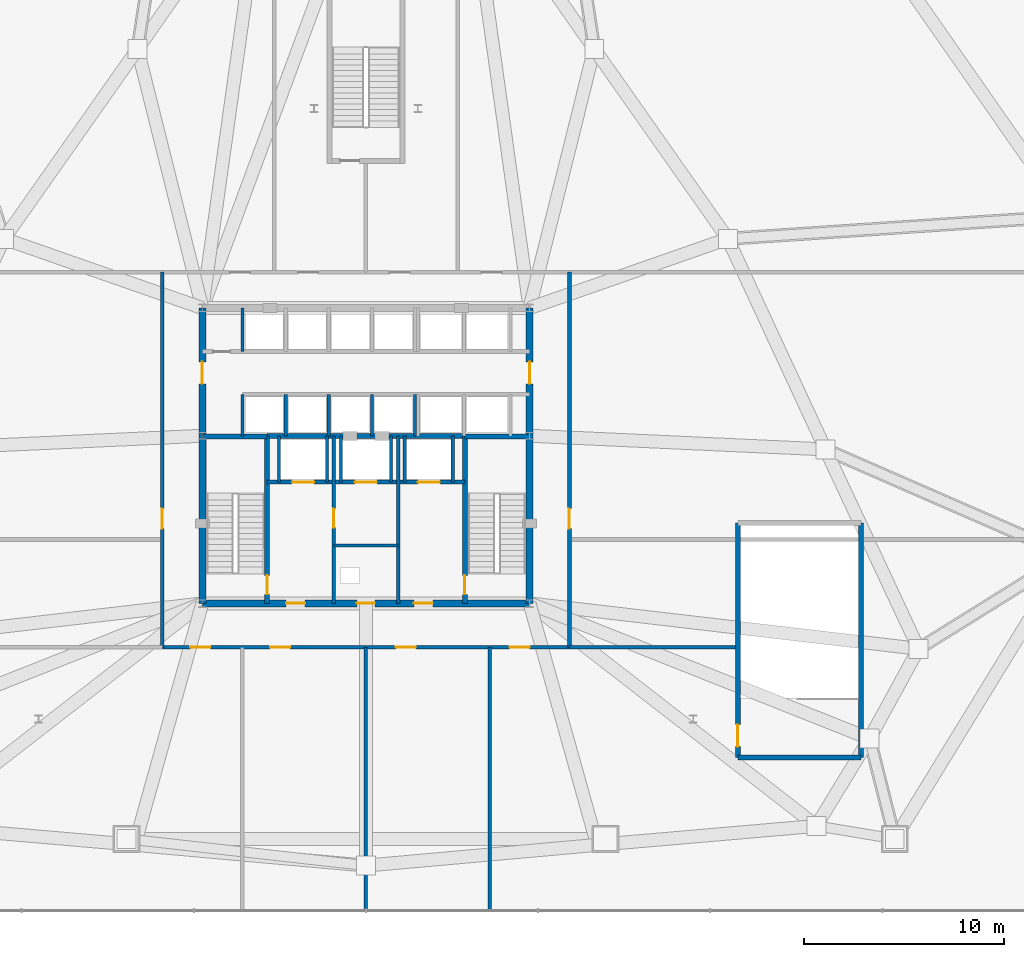
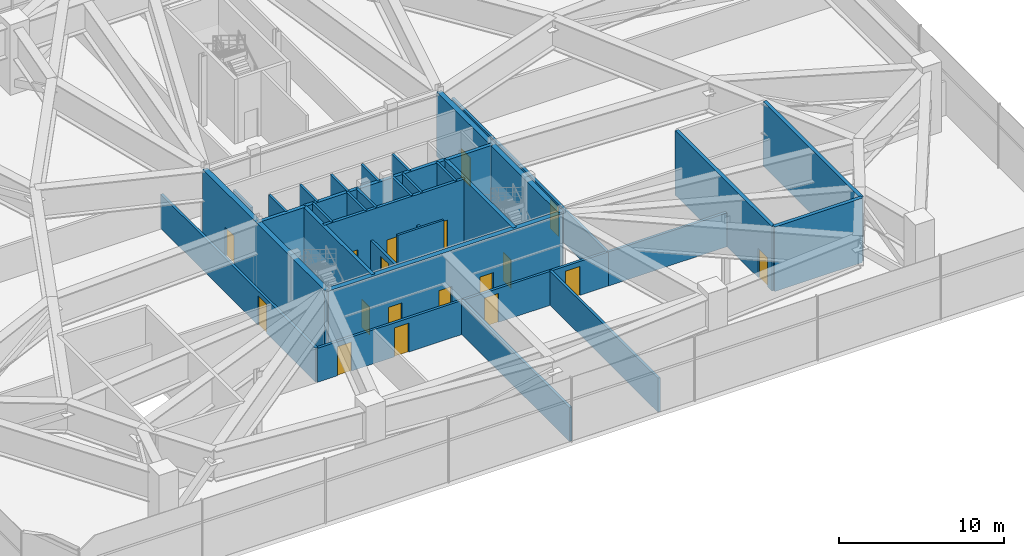
# One storey, part 22 of 29: 33 walls, 18 doors, 18 openings.
"""IFC4 building model written with IfcOpenShell, lengths in metres."""

from ifc_helpers import new_model, si_unit, direction, frame, frame_2d, origin, place, context, subcontext, project, spatial, rectangle, extrude, material, layer, layer_set, type_object, element, fill, save


model = new_model("IFC4")

# Units and contexts
model_context = context("Model", 3, precision=1e-05, world=origin(), true_north=direction((0.0, 1.0)))
body_context = subcontext(model_context, "Body", "Model", "MODEL_VIEW")
ifc_project = project(units=[si_unit("LENGTHUNIT", "METRE"), si_unit("AREAUNIT", "SQUARE_METRE"), si_unit("VOLUMEUNIT", "CUBIC_METRE"), si_unit("PLANEANGLEUNIT", "RADIAN"), si_unit("MASSUNIT", "GRAM", prefix="KILO")], contexts=[model_context])

# Site, building, storey
site_placement = place(None, origin())
site = spatial("IfcSite", under=ifc_project, at=site_placement, CompositionType="ELEMENT")
building_placement = place(site_placement, origin())
building = spatial("IfcBuilding", under=site, at=building_placement, Name="Varakhsha Concourse Tower", CompositionType="ELEMENT")
storey_placement = place(building_placement, frame((0.0, 0.0, 22.0)))
storey = spatial("IfcBuildingStorey", under=building, at=storey_placement, Name="L05", CompositionType="ELEMENT", Elevation=22.0)

# Wall, openings, doors
ifc_material_1 = material(Name="Concrete fc 65 MPa", Category="concrete")
ifc_layer_1 = layer(ifc_material_1, 0.35009765625, Name="WL-CORE-350")
ifc_layer_set_1 = layer_set([ifc_layer_1], Name="Concrete fc 65 MPa")
wall_type_1 = type_object("IfcWallType", Name="WL-CORE-350", PredefinedType="SHEAR", material=ifc_layer_set_1)
wall_1_placement = place(storey_placement, frame((31.800048828125, 16.39990234375, 0.0), z_axis=(0.0, 0.0, 1.0), x_axis=(1.0, 0.0, 0.0)))
wall_1 = element("IfcWall", 1, at=wall_1_placement, inside=storey, type_object=wall_type_1, Name="L05 Wall CWALL-S-L05", PredefinedType="SHEAR", context=body_context, shape_type="SweptSolid", body=[
    extrude(rectangle(XDim=16.39990234375, YDim=0.35009765625, at=frame_2d((8.199951171875, 0.0))), origin(), (0.0, 0.0, 1.0), 4.780029296875),
])
opening_1_placement = place(wall_1_placement, frame((7.75, 0.0, 0.0)))
opening_1 = element("IfcOpeningElement", 2, at=opening_1_placement, cuts=wall_1, Name="Opening DF-06", PredefinedType="OPENING", context=body_context, shape_type="SweptSolid", body=[
    extrude(rectangle(XDim=0.89990234375, YDim=2.10009765625, at=frame_2d((0.449951171875, 1.050048828125))), frame((0.0, 0.18505859375, 0.0), z_axis=(0.0, -1.0, 0.0), x_axis=(1.0, 0.0, 0.0)), (0.0, 0.0, 1.0), 0.3701171875),
])
opening_2_placement = place(wall_1_placement, frame((4.199951171875, 0.0, 0.0)))
opening_2 = element("IfcOpeningElement", 3, at=opening_2_placement, cuts=wall_1, Name="Opening DF-05", PredefinedType="OPENING", context=body_context, shape_type="SweptSolid", body=[
    extrude(rectangle(XDim=0.949951171875, YDim=2.10009765625, at=frame_2d((0.47509765625, 1.050048828125))), frame((0.0, 0.18505859375, 0.0), z_axis=(0.0, -1.0, 0.0), x_axis=(1.0, 0.0, 0.0)), (0.0, 0.0, 1.0), 0.3701171875),
])
opening_3_placement = place(wall_1_placement, frame((10.60009765625, 0.0, 0.0)))
opening_3 = element("IfcOpeningElement", 4, at=opening_3_placement, cuts=wall_1, Name="Opening DF-05", PredefinedType="OPENING", context=body_context, shape_type="SweptSolid", body=[
    extrude(rectangle(XDim=0.949951171875, YDim=2.10009765625, at=frame_2d((0.47509765625, 1.050048828125))), frame((0.0, 0.18505859375, 0.0), z_axis=(0.0, -1.0, 0.0), x_axis=(1.0, 0.0, 0.0)), (0.0, 0.0, 1.0), 0.3701171875),
])
ifc_material_2 = material(Name="Hollow Galvanised Steel Fire Door Assembly", Category="steel")
door_type_1 = type_object("IfcDoorType", Name="DR-FD60-900", OperationType="NOTDEFINED", PredefinedType="DOOR", material=ifc_material_2)
door_1_placement = place(opening_1_placement, origin())
door_1 = element("IfcDoor", 5, at=door_1_placement, inside=storey, type_object=door_type_1, Name="L05 Electrical Riser Access Door", OperationType="SINGLE_SWING_LEFT", OverallHeight=2.10009765625, OverallWidth=0.89990234375, PredefinedType="DOOR", context=body_context, shape_type="SweptSolid", body=[
    extrude(rectangle(XDim=0.89990234375, YDim=2.10009765625, at=frame_2d((0.449951171875, 1.050048828125))), frame((0.0, 0.02490234375, 0.0), z_axis=(0.0, -1.0, 0.0), x_axis=(1.0, 0.0, 0.0)), (0.0, 0.0, 1.0), 0.050048828125),
])
fill(opening_1, door_1)
door_type_2 = type_object("IfcDoorType", Name="DR-FD60-950", OperationType="NOTDEFINED", PredefinedType="DOOR", material=ifc_material_2)
door_2_placement = place(opening_2_placement, origin())
door_2 = element("IfcDoor", 6, at=door_2_placement, inside=storey, type_object=door_type_2, Name="L05 Firefighting Lobby West Door", OperationType="SINGLE_SWING_RIGHT", OverallHeight=2.10009765625, OverallWidth=0.949951171875, PredefinedType="DOOR", context=body_context, shape_type="SweptSolid", body=[
    extrude(rectangle(XDim=0.949951171875, YDim=2.10009765625, at=frame_2d((0.47509765625, 1.050048828125))), frame((0.0, 0.02490234375, 0.0), z_axis=(0.0, -1.0, 0.0), x_axis=(1.0, 0.0, 0.0)), (0.0, 0.0, 1.0), 0.050048828125),
])
fill(opening_2, door_2)
door_3_placement = place(opening_3_placement, origin())
door_3 = element("IfcDoor", 7, at=door_3_placement, inside=storey, type_object=door_type_2, Name="L05 Firefighting Lobby East Door", OperationType="SINGLE_SWING_LEFT", OverallHeight=2.10009765625, OverallWidth=0.949951171875, PredefinedType="DOOR", context=body_context, shape_type="SweptSolid", body=[
    extrude(rectangle(XDim=0.949951171875, YDim=2.10009765625, at=frame_2d((0.47509765625, 1.050048828125))), frame((0.0, 0.02490234375, 0.0), z_axis=(0.0, -1.0, 0.0), x_axis=(1.0, 0.0, 0.0)), (0.0, 0.0, 1.0), 0.050048828125),
])
fill(opening_3, door_3)

# Wall, opening, door
wall_2_placement = place(storey_placement, frame((31.800048828125, 16.39990234375, 0.0), z_axis=(0.0, 0.0, 1.0), x_axis=(0.0, 1.0, 0.0)))
wall_2 = element("IfcWall", 8, at=wall_2_placement, inside=storey, type_object=wall_type_1, Name="L05 Wall CWALL-W-L05", PredefinedType="SHEAR", context=body_context, shape_type="SweptSolid", body=[
    extrude(rectangle(XDim=14.800048828125, YDim=0.35009765625, at=frame_2d((7.39990234375, 0.0))), origin(), (0.0, 0.0, 1.0), 4.780029296875),
])
opening_4_placement = place(wall_2_placement, frame((11.0, 0.0, 0.0)))
opening_4 = element("IfcOpeningElement", 9, at=opening_4_placement, cuts=wall_2, Name="Opening DL-01", PredefinedType="OPENING", context=body_context, shape_type="SweptSolid", body=[
    extrude(rectangle(XDim=1.10009765625, YDim=2.14990234375, at=frame_2d((0.550048828125, 1.074951171875))), frame((0.0, 0.18505859375, 0.0), z_axis=(0.0, -1.0, 0.0), x_axis=(1.0, 0.0, 0.0)), (0.0, 0.0, 1.0), 0.3701171875),
])
ifc_material_3 = material(Name="Anodised Bronze Architectural Aluminium AA 6063-T6", Category="aluminium")
door_type_3 = type_object("IfcDoorType", Name="DR-LOB-1100", OperationType="NOTDEFINED", PredefinedType="DOOR", material=ifc_material_3)
door_4_placement = place(opening_4_placement, origin())
door_4 = element("IfcDoor", 10, at=door_4_placement, inside=storey, type_object=door_type_3, Name="L05 Lift Lobby West Concourse Door", OperationType="SINGLE_SWING_LEFT", OverallHeight=2.14990234375, OverallWidth=1.10009765625, PredefinedType="DOOR", context=body_context, shape_type="SweptSolid", body=[
    extrude(rectangle(XDim=1.10009765625, YDim=2.14990234375, at=frame_2d((0.550048828125, 1.074951171875))), frame((0.0, 0.02490234375, 0.0), z_axis=(0.0, -1.0, 0.0), x_axis=(1.0, 0.0, 0.0)), (0.0, 0.0, 1.0), 0.050048828125),
])
fill(opening_4, door_4)

wall_3_placement = place(storey_placement, frame((48.199951171875, 16.39990234375, 0.0), z_axis=(0.0, 0.0, 1.0), x_axis=(0.0, 1.0, 0.0)))
wall_3 = element("IfcWall", 11, at=wall_3_placement, inside=storey, type_object=wall_type_1, Name="L05 Wall CWALL-E-L05", PredefinedType="SHEAR", context=body_context, shape_type="SweptSolid", body=[
    extrude(rectangle(XDim=14.800048828125, YDim=0.35009765625, at=frame_2d((7.39990234375, 0.0))), origin(), (0.0, 0.0, 1.0), 4.780029296875),
])
opening_5_placement = place(wall_3_placement, frame((11.0, 0.0, 0.0)))
opening_5 = element("IfcOpeningElement", 12, at=opening_5_placement, cuts=wall_3, Name="Opening DL-01", PredefinedType="OPENING", context=body_context, shape_type="SweptSolid", body=[
    extrude(rectangle(XDim=1.10009765625, YDim=2.14990234375, at=frame_2d((0.550048828125, 1.074951171875))), frame((0.0, 0.18505859375, 0.0), z_axis=(0.0, -1.0, 0.0), x_axis=(1.0, 0.0, 0.0)), (0.0, 0.0, 1.0), 0.3701171875),
])
door_5_placement = place(opening_5_placement, origin())
door_5 = element("IfcDoor", 13, at=door_5_placement, inside=storey, type_object=door_type_3, Name="L05 Lift Lobby East Concourse Door", OperationType="SINGLE_SWING_RIGHT", OverallHeight=2.14990234375, OverallWidth=1.10009765625, PredefinedType="DOOR", context=body_context, shape_type="SweptSolid", body=[
    extrude(rectangle(XDim=1.10009765625, YDim=2.14990234375, at=frame_2d((0.550048828125, 1.074951171875))), frame((0.0, 0.02490234375, 0.0), z_axis=(0.0, -1.0, 0.0), x_axis=(1.0, 0.0, 0.0)), (0.0, 0.0, 1.0), 0.050048828125),
])
fill(opening_5, door_5)

ifc_material_4 = material(Name="Fire-Rated Type X Gypsum Partition Assembly", Category="gypsum")
ifc_layer_2 = layer(ifc_material_4, 0.179931640625, Name="WL-FFLOB-180")
ifc_layer_set_2 = layer_set([ifc_layer_2], Name="Fire-Rated Type X Gypsum Partition Assembly")
wall_type_2 = type_object("IfcWallType", Name="WL-FFLOB-180", PredefinedType="PARTITIONING", material=ifc_layer_set_2)
wall_4_placement = place(storey_placement, frame((38.389892578125, 16.39990234375, 0.0), z_axis=(0.0, 0.0, 1.0), x_axis=(0.0, 1.0, 0.0)))
wall_4 = element("IfcWall", 14, at=wall_4_placement, inside=storey, type_object=wall_type_2, Name="L05 Wall FFW-1E-L05", PredefinedType="PARTITIONING", context=body_context, shape_type="SweptSolid", body=[
    extrude(rectangle(XDim=8.400146484375, YDim=0.179931640625, at=frame_2d((4.2001953125, 0.0))), origin(), (0.0, 0.0, 1.0), 2.52001953125),
])
opening_6_placement = place(wall_4_placement, frame((3.800048828125, 0.0, 0.0)))
opening_6 = element("IfcOpeningElement", 15, at=opening_6_placement, cuts=wall_4, Name="Opening DF-05", PredefinedType="OPENING", context=body_context, shape_type="SweptSolid", body=[
    extrude(rectangle(XDim=0.949951171875, YDim=2.10009765625, at=frame_2d((0.47509765625, 1.050048828125))), frame((0.0, 0.099853515625, 0.0), z_axis=(0.0, -1.0, 0.0), x_axis=(1.0, 0.0, 0.0)), (0.0, 0.0, 1.0), 0.199951171875),
])
door_6_placement = place(opening_6_placement, origin())
door_6 = element("IfcDoor", 16, at=door_6_placement, inside=storey, type_object=door_type_2, Name="L05 Service Vestibule Door", OperationType="SINGLE_SWING_RIGHT", OverallHeight=2.10009765625, OverallWidth=0.949951171875, PredefinedType="DOOR", context=body_context, shape_type="SweptSolid", body=[
    extrude(rectangle(XDim=0.949951171875, YDim=2.10009765625, at=frame_2d((0.47509765625, 1.050048828125))), frame((0.0, 0.02490234375, 0.0), z_axis=(0.0, -1.0, 0.0), x_axis=(1.0, 0.0, 0.0)), (0.0, 0.0, 1.0), 0.050048828125),
])
fill(opening_6, door_6)

# Walls
wall_5_placement = place(storey_placement, frame((41.610107421875, 16.39990234375, 0.0), z_axis=(0.0, 0.0, 1.0), x_axis=(0.0, 1.0, 0.0)))
element("IfcWall", 17, at=wall_5_placement, inside=storey, type_object=wall_type_2, Name="L05 Wall FFW-2W-L05", PredefinedType="PARTITIONING", context=body_context, shape_type="SweptSolid", body=[
    extrude(rectangle(XDim=8.400146484375, YDim=0.179931640625, at=frame_2d((4.2001953125, 0.0))), origin(), (0.0, 0.0, 1.0), 2.52001953125),
])
ifc_layer_3 = layer(ifc_material_4, 0.14990234375, Name="WL-PART-150")
ifc_layer_set_3 = layer_set([ifc_layer_3], Name="Fire-Rated Type X Gypsum Partition Assembly")
wall_type_3 = type_object("IfcWallType", Name="WL-PART-150", PredefinedType="PARTITIONING", material=ifc_layer_set_3)
wall_6_placement = place(storey_placement, frame((38.389892578125, 19.300048828125, 0.0), z_axis=(0.0, 0.0, 1.0), x_axis=(1.0, 0.0, 0.0)))
element("IfcWall", 18, at=wall_6_placement, inside=storey, type_object=wall_type_3, Name="L05 Wall RSW-H-L05", PredefinedType="PARTITIONING", context=body_context, shape_type="SweptSolid", body=[
    extrude(rectangle(XDim=3.22021484375, YDim=0.14990234375, at=frame_2d((1.610107421875, 0.0))), origin(), (0.0, 0.0, 1.0), 4.780029296875),
])

# Wall, openings, doors
ifc_layer_4 = layer(ifc_material_4, 0.179931640625, Name="WL-PART-180")
ifc_layer_set_4 = layer_set([ifc_layer_4], Name="Fire-Rated Type X Gypsum Partition Assembly")
wall_type_4 = type_object("IfcWallType", Name="WL-PART-180", PredefinedType="PARTITIONING", material=ifc_layer_set_4)
wall_7_placement = place(storey_placement, frame((29.800048828125, 14.199951171875, 0.0), z_axis=(0.0, 0.0, 1.0), x_axis=(1.0, 0.0, 0.0)))
wall_7 = element("IfcWall", 19, at=wall_7_placement, inside=storey, type_object=wall_type_4, Name="L05 Wall PCW-S-L05", PredefinedType="PARTITIONING", context=body_context, shape_type="SweptSolid", body=[
    extrude(rectangle(XDim=20.39990234375, YDim=0.179931640625, at=frame_2d((10.199951171875, 0.0))), origin(), (0.0, 0.0, 1.0), 2.52001953125),
])
opening_7_placement = place(wall_7_placement, frame((1.39990234375, 0.0, 0.0)))
opening_7 = element("IfcOpeningElement", 20, at=opening_7_placement, cuts=wall_7, Name="Opening DF-04", PredefinedType="OPENING", context=body_context, shape_type="SweptSolid", body=[
    extrude(rectangle(XDim=1.0, YDim=2.14990234375, at=frame_2d((0.5, 1.074951171875))), frame((0.0, 0.099853515625, 0.0), z_axis=(0.0, -1.0, 0.0), x_axis=(1.0, 0.0, 0.0)), (0.0, 0.0, 1.0), 0.199951171875),
])
opening_8_placement = place(wall_7_placement, frame((5.39990234375, 0.0, 0.0)))
opening_8 = element("IfcOpeningElement", 21, at=opening_8_placement, cuts=wall_7, Name="Opening DF-04", PredefinedType="OPENING", context=body_context, shape_type="SweptSolid", body=[
    extrude(rectangle(XDim=1.0, YDim=2.14990234375, at=frame_2d((0.5, 1.074951171875))), frame((0.0, 0.099853515625, 0.0), z_axis=(0.0, -1.0, 0.0), x_axis=(1.0, 0.0, 0.0)), (0.0, 0.0, 1.0), 0.199951171875),
])
opening_9_placement = place(wall_7_placement, frame((11.699951171875, 0.0, 0.0)))
opening_9 = element("IfcOpeningElement", 22, at=opening_9_placement, cuts=wall_7, Name="Opening DF-04", PredefinedType="OPENING", context=body_context, shape_type="SweptSolid", body=[
    extrude(rectangle(XDim=1.0, YDim=2.14990234375, at=frame_2d((0.5, 1.074951171875))), frame((0.0, 0.099853515625, 0.0), z_axis=(0.0, -1.0, 0.0), x_axis=(1.0, 0.0, 0.0)), (0.0, 0.0, 1.0), 0.199951171875),
])
opening_10_placement = place(wall_7_placement, frame((17.39990234375, 0.0, 0.0)))
opening_10 = element("IfcOpeningElement", 23, at=opening_10_placement, cuts=wall_7, Name="Opening DF-04", PredefinedType="OPENING", context=body_context, shape_type="SweptSolid", body=[
    extrude(rectangle(XDim=1.0, YDim=2.14990234375, at=frame_2d((0.5, 1.074951171875))), frame((0.0, 0.099853515625, 0.0), z_axis=(0.0, -1.0, 0.0), x_axis=(1.0, 0.0, 0.0)), (0.0, 0.0, 1.0), 0.199951171875),
])
door_type_4 = type_object("IfcDoorType", Name="DR-FD60-1000", OperationType="NOTDEFINED", PredefinedType="DOOR", material=ifc_material_2)
door_7_placement = place(opening_7_placement, origin())
door_7 = element("IfcDoor", 24, at=door_7_placement, inside=storey, type_object=door_type_4, Name="L05 West Chiller and Heat Rejection Plant Room Door", OperationType="SINGLE_SWING_LEFT", OverallHeight=2.14990234375, OverallWidth=1.0, PredefinedType="DOOR", context=body_context, shape_type="SweptSolid", body=[
    extrude(rectangle(XDim=1.0, YDim=2.14990234375, at=frame_2d((0.5, 1.074951171875))), frame((0.0, 0.02490234375, 0.0), z_axis=(0.0, -1.0, 0.0), x_axis=(1.0, 0.0, 0.0)), (0.0, 0.0, 1.0), 0.050048828125),
])
fill(opening_7, door_7)
door_8_placement = place(opening_8_placement, origin())
door_8 = element("IfcDoor", 25, at=door_8_placement, inside=storey, type_object=door_type_4, Name="L05 Central Condenser Pump Plant Room Door", OperationType="SINGLE_SWING_LEFT", OverallHeight=2.14990234375, OverallWidth=1.0, PredefinedType="DOOR", context=body_context, shape_type="SweptSolid", body=[
    extrude(rectangle(XDim=1.0, YDim=2.14990234375, at=frame_2d((0.5, 1.074951171875))), frame((0.0, 0.02490234375, 0.0), z_axis=(0.0, -1.0, 0.0), x_axis=(1.0, 0.0, 0.0)), (0.0, 0.0, 1.0), 0.050048828125),
])
fill(opening_8, door_8)
door_9_placement = place(opening_9_placement, origin())
door_9 = element("IfcDoor", 26, at=door_9_placement, inside=storey, type_object=door_type_4, Name="L05 Heat Recovery Tank Mechanical Plant Room Door", OperationType="SINGLE_SWING_LEFT", OverallHeight=2.14990234375, OverallWidth=1.0, PredefinedType="DOOR", context=body_context, shape_type="SweptSolid", body=[
    extrude(rectangle(XDim=1.0, YDim=2.14990234375, at=frame_2d((0.5, 1.074951171875))), frame((0.0, 0.02490234375, 0.0), z_axis=(0.0, -1.0, 0.0), x_axis=(1.0, 0.0, 0.0)), (0.0, 0.0, 1.0), 0.050048828125),
])
fill(opening_9, door_9)
door_10_placement = place(opening_10_placement, origin())
door_10 = element("IfcDoor", 27, at=door_10_placement, inside=storey, type_object=door_type_4, Name="L05 East Heat Exchanger Mechanical Plant Room Door", OperationType="SINGLE_SWING_LEFT", OverallHeight=2.14990234375, OverallWidth=1.0, PredefinedType="DOOR", context=body_context, shape_type="SweptSolid", body=[
    extrude(rectangle(XDim=1.0, YDim=2.14990234375, at=frame_2d((0.5, 1.074951171875))), frame((0.0, 0.02490234375, 0.0), z_axis=(0.0, -1.0, 0.0), x_axis=(1.0, 0.0, 0.0)), (0.0, 0.0, 1.0), 0.050048828125),
])
fill(opening_10, door_10)

# Wall, opening, door
wall_8_placement = place(storey_placement, frame((29.800048828125, 14.199951171875, 0.0), z_axis=(0.0, 0.0, 1.0), x_axis=(0.0, 1.0, 0.0)))
wall_8 = element("IfcWall", 28, at=wall_8_placement, inside=storey, type_object=wall_type_4, Name="L05 Wall PCW-W-L05", PredefinedType="PARTITIONING", context=body_context, shape_type="SweptSolid", body=[
    extrude(rectangle(XDim=18.800048828125, YDim=0.179931640625, at=frame_2d((9.39990234375, 0.0))), origin(), (0.0, 0.0, 1.0), 2.52001953125),
])
opening_11_placement = place(wall_8_placement, frame((5.949951171875, 0.0, 0.0)))
opening_11 = element("IfcOpeningElement", 29, at=opening_11_placement, cuts=wall_8, Name="Opening DF-04", PredefinedType="OPENING", context=body_context, shape_type="SweptSolid", body=[
    extrude(rectangle(XDim=1.0, YDim=2.14990234375, at=frame_2d((0.5, 1.074951171875))), frame((0.0, 0.099853515625, 0.0), z_axis=(0.0, -1.0, 0.0), x_axis=(1.0, 0.0, 0.0)), (0.0, 0.0, 1.0), 0.199951171875),
])
door_11_placement = place(opening_11_placement, origin())
door_11 = element("IfcDoor", 30, at=door_11_placement, inside=storey, type_object=door_type_4, Name="L05 West AHU and Smoke Exhaust Plant Room Door", OperationType="SINGLE_SWING_LEFT", OverallHeight=2.14990234375, OverallWidth=1.0, PredefinedType="DOOR", context=body_context, shape_type="SweptSolid", body=[
    extrude(rectangle(XDim=1.0, YDim=2.14990234375, at=frame_2d((0.5, 1.074951171875))), frame((0.0, 0.02490234375, 0.0), z_axis=(0.0, -1.0, 0.0), x_axis=(1.0, 0.0, 0.0)), (0.0, 0.0, 1.0), 0.050048828125),
])
fill(opening_11, door_11)

wall_9_placement = place(storey_placement, frame((50.199951171875, 14.199951171875, 0.0), z_axis=(0.0, 0.0, 1.0), x_axis=(0.0, 1.0, 0.0)))
wall_9 = element("IfcWall", 31, at=wall_9_placement, inside=storey, type_object=wall_type_4, Name="L05 Wall PCW-E-L05", PredefinedType="PARTITIONING", context=body_context, shape_type="SweptSolid", body=[
    extrude(rectangle(XDim=18.800048828125, YDim=0.179931640625, at=frame_2d((9.39990234375, 0.0))), origin(), (0.0, 0.0, 1.0), 2.52001953125),
])
opening_12_placement = place(wall_9_placement, frame((5.949951171875, 0.0, 0.0)))
opening_12 = element("IfcOpeningElement", 32, at=opening_12_placement, cuts=wall_9, Name="Opening DF-04", PredefinedType="OPENING", context=body_context, shape_type="SweptSolid", body=[
    extrude(rectangle(XDim=1.0, YDim=2.14990234375, at=frame_2d((0.5, 1.074951171875))), frame((0.0, 0.099853515625, 0.0), z_axis=(0.0, -1.0, 0.0), x_axis=(1.0, 0.0, 0.0)), (0.0, 0.0, 1.0), 0.199951171875),
])
door_12_placement = place(opening_12_placement, origin())
door_12 = element("IfcDoor", 33, at=door_12_placement, inside=storey, type_object=door_type_4, Name="L05 East Booster and Fire Standpipe Pump Plant Room Door", OperationType="SINGLE_SWING_LEFT", OverallHeight=2.14990234375, OverallWidth=1.0, PredefinedType="DOOR", context=body_context, shape_type="SweptSolid", body=[
    extrude(rectangle(XDim=1.0, YDim=2.14990234375, at=frame_2d((0.5, 1.074951171875))), frame((0.0, 0.02490234375, 0.0), z_axis=(0.0, -1.0, 0.0), x_axis=(1.0, 0.0, 0.0)), (0.0, 0.0, 1.0), 0.050048828125),
])
fill(opening_12, door_12)

# Walls
for number, where, z_axis, x_axis, name in (
    (34, (40.0, 1.0400390625, 0.0), (0.0, 0.0, 1.0), (0.0, 1.0, 0.0), "L05 Wall PDIV-S2-L05"),
    (35, (46.199951171875, 1.0400390625, 0.0), (0.0, 0.0, 1.0), (0.0, 1.0, 0.0), "L05 Wall PDIV-S3-L05"),
):
    element("IfcWall", number, at=place(storey_placement, frame(where, z_axis=z_axis, x_axis=x_axis)), inside=storey, type_object=wall_type_4, Name=name, PredefinedType="PARTITIONING", context=body_context, shape_type="SweptSolid", body=[
        extrude(rectangle(XDim=13.159912109375, YDim=0.179931640625, at=frame_2d((6.580078125, 0.0))), origin(), (0.0, 0.0, 1.0), 2.52001953125),
    ])
wall_10_placement = place(storey_placement, frame((50.199951171875, 14.199951171875, 0.0), z_axis=(0.0, 0.0, 1.0), x_axis=(1.0, 0.0, 0.0)))
element("IfcWall", 36, at=wall_10_placement, inside=storey, type_object=wall_type_4, Name="L05 Wall PDIV-L05-ST4W", PredefinedType="PARTITIONING", context=body_context, shape_type="SweptSolid", body=[
    extrude(rectangle(XDim=8.31005859375, YDim=0.179931640625, at=frame_2d((4.155029296875, 0.0))), origin(), (0.0, 0.0, 1.0), 2.52001953125),
])

# Wall, openings, doors
ifc_layer_5 = layer(ifc_material_4, 0.199951171875, Name="WL-SHAFT-220")
ifc_layer_set_5 = layer_set([ifc_layer_5], Name="Fire-Rated Type X Gypsum Partition Assembly")
wall_type_5 = type_object("IfcWallType", Name="WL-SHAFT-220", PredefinedType="SOLIDWALL", material=ifc_layer_set_5)
wall_11_placement = place(storey_placement, frame((35.044921875, 22.47998046875, 0.0), z_axis=(0.0, 0.0, 1.0), x_axis=(1.0, 0.0, 0.0)))
wall_11 = element("IfcWall", 37, at=wall_11_placement, inside=storey, type_object=wall_type_5, Name="L05 Wall FFW-NH-L05", PredefinedType="SOLIDWALL", context=body_context, shape_type="SweptSolid", body=[
    extrude(rectangle(XDim=9.91015625, YDim=0.199951171875, at=frame_2d((4.955078125, 0.0))), origin(), (0.0, 0.0, 1.0), 4.780029296875),
])
opening_13_placement = place(wall_11_placement, frame((1.2548828125, 0.0, 0.0)))
opening_13 = element("IfcOpeningElement", 38, at=opening_13_placement, cuts=wall_11, Name="Opening LD-FFL-1", PredefinedType="OPENING", context=body_context, shape_type="SweptSolid", body=[
    extrude(rectangle(XDim=1.10009765625, YDim=2.14990234375, at=frame_2d((0.550048828125, 1.074951171875))), frame((0.0, 0.10986328125, 0.0), z_axis=(0.0, -1.0, 0.0), x_axis=(1.0, 0.0, 0.0)), (0.0, 0.0, 1.0), 0.219970703125),
])
opening_14_placement = place(wall_11_placement, frame((7.554931640625, 0.0, 0.0)))
opening_14 = element("IfcOpeningElement", 39, at=opening_14_placement, cuts=wall_11, Name="Opening LD-FFL-2", PredefinedType="OPENING", context=body_context, shape_type="SweptSolid", body=[
    extrude(rectangle(XDim=1.10009765625, YDim=2.14990234375, at=frame_2d((0.550048828125, 1.074951171875))), frame((0.0, 0.10986328125, 0.0), z_axis=(0.0, -1.0, 0.0), x_axis=(1.0, 0.0, 0.0)), (0.0, 0.0, 1.0), 0.219970703125),
])
opening_15_placement = place(wall_11_placement, frame((4.405029296875, 0.0, 0.0)))
opening_15 = element("IfcOpeningElement", 40, at=opening_15_placement, cuts=wall_11, Name="Opening LD-SVL-1", PredefinedType="OPENING", context=body_context, shape_type="SweptSolid", body=[
    extrude(rectangle(XDim=1.10009765625, YDim=2.14990234375, at=frame_2d((0.550048828125, 1.074951171875))), frame((0.0, 0.10986328125, 0.0), z_axis=(0.0, -1.0, 0.0), x_axis=(1.0, 0.0, 0.0)), (0.0, 0.0, 1.0), 0.219970703125),
])
ifc_material_5 = material(Name="Brushed Austenitic Stainless Steel AISI 316", Category="steel")
door_type_5 = type_object("IfcDoorType", Name="DR-LD-1100", OperationType="DOUBLE_DOOR_SLIDING", PredefinedType="DOOR", material=ifc_material_5)
door_13_placement = place(opening_13_placement, origin())
door_13 = element("IfcDoor", 41, at=door_13_placement, inside=storey, type_object=door_type_5, Name="Lift Landing Door FFL-1 L05", OperationType="DOUBLE_DOOR_SLIDING", OverallHeight=2.14990234375, OverallWidth=1.10009765625, PredefinedType="DOOR", context=body_context, shape_type="SweptSolid", body=[
    extrude(rectangle(XDim=1.10009765625, YDim=2.14990234375, at=frame_2d((0.550048828125, 1.074951171875))), frame((0.0, 0.02490234375, 0.0), z_axis=(0.0, -1.0, 0.0), x_axis=(1.0, 0.0, 0.0)), (0.0, 0.0, 1.0), 0.050048828125),
])
fill(opening_13, door_13)
door_14_placement = place(opening_14_placement, origin())
door_14 = element("IfcDoor", 42, at=door_14_placement, inside=storey, type_object=door_type_5, Name="Lift Landing Door FFL-2 L05", OperationType="DOUBLE_DOOR_SLIDING", OverallHeight=2.14990234375, OverallWidth=1.10009765625, PredefinedType="DOOR", context=body_context, shape_type="SweptSolid", body=[
    extrude(rectangle(XDim=1.10009765625, YDim=2.14990234375, at=frame_2d((0.550048828125, 1.074951171875))), frame((0.0, 0.02490234375, 0.0), z_axis=(0.0, -1.0, 0.0), x_axis=(1.0, 0.0, 0.0)), (0.0, 0.0, 1.0), 0.050048828125),
])
fill(opening_14, door_14)
door_15_placement = place(opening_15_placement, origin())
door_15 = element("IfcDoor", 43, at=door_15_placement, inside=storey, type_object=door_type_5, Name="Lift Landing Door SVL-1 L05", OperationType="DOUBLE_DOOR_SLIDING", OverallHeight=2.14990234375, OverallWidth=1.10009765625, PredefinedType="DOOR", context=body_context, shape_type="SweptSolid", body=[
    extrude(rectangle(XDim=1.10009765625, YDim=2.14990234375, at=frame_2d((0.550048828125, 1.074951171875))), frame((0.0, 0.02490234375, 0.0), z_axis=(0.0, -1.0, 0.0), x_axis=(1.0, 0.0, 0.0)), (0.0, 0.0, 1.0), 0.050048828125),
])
fill(opening_15, door_15)

# Walls
for number, where, z_axis, x_axis, name in (
    (44, (35.64990234375, 22.47998046875, 0.0), (0.0, 0.0, 1.0), (0.0, 1.0, 0.0), "L05 Wall SHW-FFL-1-W-L05"),
    (45, (38.050048828125, 22.47998046875, 0.0), (0.0, 0.0, 1.0), (0.0, 1.0, 0.0), "L05 Wall SHW-FFL-1-E-L05"),
    (46, (41.949951171875, 22.47998046875, 0.0), (0.0, 0.0, 1.0), (0.0, 1.0, 0.0), "L05 Wall SHW-FFL-2-W-L05"),
    (47, (44.35009765625, 22.47998046875, 0.0), (0.0, 0.0, 1.0), (0.0, 1.0, 0.0), "L05 Wall SHW-FFL-2-E-L05"),
    (48, (38.75, 22.47998046875, 0.0), (0.0, 0.0, 1.0), (0.0, 1.0, 0.0), "L05 Wall SHW-SVL-1-W-L05"),
    (49, (41.25, 22.47998046875, 0.0), (0.0, 0.0, 1.0), (0.0, 1.0, 0.0), "L05 Wall SHW-SVL-1-E-L05"),
):
    element("IfcWall", number, at=place(storey_placement, frame(where, z_axis=z_axis, x_axis=x_axis)), inside=storey, type_object=wall_type_5, Name=name, PredefinedType="SOLIDWALL", context=body_context, shape_type="SweptSolid", body=[
        extrude(rectangle(XDim=2.320068359375, YDim=0.159912109375, at=frame_2d((1.16015625, 0.0))), origin(), (0.0, 0.0, 1.0), 4.780029296875),
    ])
wall_12_placement = place(storey_placement, frame((33.820068359375, 29.02001953125, 0.0), z_axis=(0.0, 0.0, 1.0), x_axis=(0.0, 1.0, 0.0)))
element("IfcWall", 50, at=wall_12_placement, inside=storey, type_object=wall_type_5, Name="L05 Wall WBOH-E1-L05", PredefinedType="SOLIDWALL", context=body_context, shape_type="SweptSolid", body=[
    extrude(rectangle(XDim=2.179931640625, YDim=0.159912109375, at=frame_2d((1.08984375, 0.0))), origin(), (0.0, 0.0, 1.0), 2.52001953125),
])
for number, where, z_axis, x_axis, name in (
    (51, (33.820068359375, 24.800048828125, 0.0), (0.0, 0.0, 1.0), (0.0, 1.0, 0.0), "L05 Wall WBOH-E2-L05"),
    (52, (35.97998046875, 24.800048828125, 0.0), (0.0, 0.0, 1.0), (0.0, 1.0, 0.0), "L05 Wall SHW-LF-P05-E-L05"),
    (53, (38.139892578125, 24.800048828125, 0.0), (0.0, 0.0, 1.0), (0.0, 1.0, 0.0), "L05 Wall SHW-LF-P06-E-L05"),
    (54, (40.300048828125, 24.800048828125, 0.0), (0.0, 0.0, 1.0), (0.0, 1.0, 0.0), "L05 Wall SHW-LF-P07-E-L05"),
    (55, (42.4599609375, 24.800048828125, 0.0), (0.0, 0.0, 1.0), (0.0, 1.0, 0.0), "L05 Wall SHW-LF-P08-E-L05"),
):
    element("IfcWall", number, at=place(storey_placement, frame(where, z_axis=z_axis, x_axis=x_axis)), inside=storey, type_object=wall_type_5, Name=name, PredefinedType="SOLIDWALL", context=body_context, shape_type="SweptSolid", body=[
        extrude(rectangle(XDim=2.079833984375, YDim=0.159912109375, at=frame_2d((1.0400390625, 0.0))), origin(), (0.0, 0.0, 1.0), 4.780029296875),
    ])

# Wall, opening, door
ifc_material_6 = material(Name="Concrete fc 45 MPa", Category="concrete")
ifc_layer_6 = layer(ifc_material_6, 0.25, Name="WL-STAIR-250")
ifc_layer_set_6 = layer_set([ifc_layer_6], Name="Concrete fc 45 MPa")
wall_type_6 = type_object("IfcWallType", Name="WL-STAIR-250", PredefinedType="SHEAR", material=ifc_layer_set_6)
wall_13_placement = place(storey_placement, frame((35.044921875, 16.39990234375, 0.0), z_axis=(0.0, 0.0, 1.0), x_axis=(0.0, 1.0, 0.0)))
wall_13 = element("IfcWall", 56, at=wall_13_placement, inside=storey, type_object=wall_type_6, Name="L05 Wall SWALL-ST1-E-L05", PredefinedType="SHEAR", context=body_context, shape_type="SweptSolid", body=[
    extrude(rectangle(XDim=8.400146484375, YDim=0.25, at=frame_2d((4.2001953125, 0.0))), origin(), (0.0, 0.0, 1.0), 4.780029296875),
])
opening_16_placement = place(wall_13_placement, frame((0.449951171875, 0.0, 0.0)))
opening_16 = element("IfcOpeningElement", 57, at=opening_16_placement, cuts=wall_13, Name="Opening DF-03", PredefinedType="OPENING", context=body_context, shape_type="SweptSolid", body=[
    extrude(rectangle(XDim=0.949951171875, YDim=2.10009765625, at=frame_2d((0.47509765625, 1.050048828125))), frame((0.0, 0.135009765625, 0.0), z_axis=(0.0, -1.0, 0.0), x_axis=(1.0, 0.0, 0.0)), (0.0, 0.0, 1.0), 0.27001953125),
])
door_type_6 = type_object("IfcDoorType", Name="DR-FD90-950", OperationType="NOTDEFINED", PredefinedType="DOOR", material=ifc_material_2)
door_16_placement = place(opening_16_placement, origin())
door_16 = element("IfcDoor", 58, at=door_16_placement, inside=storey, type_object=door_type_6, Name="L05 Stair ST1 Fire Door", OperationType="SINGLE_SWING_LEFT", OverallHeight=2.10009765625, OverallWidth=0.949951171875, PredefinedType="DOOR", context=body_context, shape_type="SweptSolid", body=[
    extrude(rectangle(XDim=0.949951171875, YDim=2.10009765625, at=frame_2d((0.47509765625, 1.050048828125))), frame((0.0, 0.02490234375, 0.0), z_axis=(0.0, -1.0, 0.0), x_axis=(1.0, 0.0, 0.0)), (0.0, 0.0, 1.0), 0.050048828125),
])
fill(opening_16, door_16)

# Wall
wall_14_placement = place(storey_placement, frame((31.800048828125, 24.7548828125, 0.0), z_axis=(0.0, 0.0, 1.0), x_axis=(1.0, 0.0, 0.0)))
element("IfcWall", 59, at=wall_14_placement, inside=storey, type_object=wall_type_6, Name="L05 Wall SWALL-ST1-N-L05", PredefinedType="SHEAR", context=body_context, shape_type="SweptSolid", body=[
    extrude(rectangle(XDim=3.244873046875, YDim=0.25, at=frame_2d((1.62255859375, 0.0))), origin(), (0.0, 0.0, 1.0), 4.780029296875),
])

# Wall, opening, door
wall_15_placement = place(storey_placement, frame((44.955078125, 16.39990234375, 0.0), z_axis=(0.0, 0.0, 1.0), x_axis=(0.0, 1.0, 0.0)))
wall_15 = element("IfcWall", 60, at=wall_15_placement, inside=storey, type_object=wall_type_6, Name="L05 Wall SWALL-ST2-W-L05", PredefinedType="SHEAR", context=body_context, shape_type="SweptSolid", body=[
    extrude(rectangle(XDim=8.400146484375, YDim=0.25, at=frame_2d((4.2001953125, 0.0))), origin(), (0.0, 0.0, 1.0), 4.780029296875),
])
opening_17_placement = place(wall_15_placement, frame((0.449951171875, 0.0, 0.0)))
opening_17 = element("IfcOpeningElement", 61, at=opening_17_placement, cuts=wall_15, Name="Opening DF-03", PredefinedType="OPENING", context=body_context, shape_type="SweptSolid", body=[
    extrude(rectangle(XDim=0.949951171875, YDim=2.10009765625, at=frame_2d((0.47509765625, 1.050048828125))), frame((0.0, 0.135009765625, 0.0), z_axis=(0.0, -1.0, 0.0), x_axis=(1.0, 0.0, 0.0)), (0.0, 0.0, 1.0), 0.27001953125),
])
door_17_placement = place(opening_17_placement, origin())
door_17 = element("IfcDoor", 62, at=door_17_placement, inside=storey, type_object=door_type_6, Name="L05 Stair ST2 Fire Door", OperationType="SINGLE_SWING_RIGHT", OverallHeight=2.10009765625, OverallWidth=0.949951171875, PredefinedType="DOOR", context=body_context, shape_type="SweptSolid", body=[
    extrude(rectangle(XDim=0.949951171875, YDim=2.10009765625, at=frame_2d((0.47509765625, 1.050048828125))), frame((0.0, 0.02490234375, 0.0), z_axis=(0.0, -1.0, 0.0), x_axis=(1.0, 0.0, 0.0)), (0.0, 0.0, 1.0), 0.050048828125),
])
fill(opening_17, door_17)

# Walls
wall_16_placement = place(storey_placement, frame((44.955078125, 24.7548828125, 0.0), z_axis=(0.0, 0.0, 1.0), x_axis=(1.0, 0.0, 0.0)))
element("IfcWall", 63, at=wall_16_placement, inside=storey, type_object=wall_type_6, Name="L05 Wall SWALL-ST2-N-L05", PredefinedType="SHEAR", context=body_context, shape_type="SweptSolid", body=[
    extrude(rectangle(XDim=3.244873046875, YDim=0.25, at=frame_2d((1.62255859375, 0.0))), origin(), (0.0, 0.0, 1.0), 4.780029296875),
])
wall_17_placement = place(storey_placement, frame((35.044921875, 24.800048828125, 0.0), z_axis=(0.0, 0.0, 1.0), x_axis=(1.0, 0.0, 0.0)))
element("IfcWall", 64, at=wall_17_placement, inside=storey, type_object=wall_type_6, Name="L05 Wall SWALL-MID-H-L05", PredefinedType="SHEAR", context=body_context, shape_type="SweptSolid", body=[
    extrude(rectangle(XDim=9.91015625, YDim=0.25, at=frame_2d((4.955078125, 0.0))), origin(), (0.0, 0.0, 1.0), 4.780029296875),
])
wall_18_placement = place(storey_placement, frame((58.635009765625, 8.675048828125, 0.0), z_axis=(0.0, 0.0, 1.0), x_axis=(1.0, 0.0, 0.0)))
element("IfcWall", 65, at=wall_18_placement, inside=storey, type_object=wall_type_6, Name="L05 Wall ST4W-S-L05", PredefinedType="SHEAR", context=body_context, shape_type="SweptSolid", body=[
    extrude(rectangle(XDim=6.169921875, YDim=0.25, at=frame_2d((3.0849609375, 0.0))), origin(), (0.0, 0.0, 1.0), 4.780029296875),
])

# Wall, opening, door
wall_19_placement = place(storey_placement, frame((58.635009765625, 8.675048828125, 0.0), z_axis=(0.0, 0.0, 1.0), x_axis=(0.0, 1.0, 0.0)))
wall_19 = element("IfcWall", 66, at=wall_19_placement, inside=storey, type_object=wall_type_6, Name="L05 Wall ST4W-W-L05", PredefinedType="SHEAR", context=body_context, shape_type="SweptSolid", body=[
    extrude(rectangle(XDim=11.75, YDim=0.25, at=frame_2d((5.875, 0.0))), origin(), (0.0, 0.0, 1.0), 4.780029296875),
])
opening_18_placement = place(wall_19_placement, frame((0.550048828125, 0.0, 0.0)))
opening_18 = element("IfcOpeningElement", 67, at=opening_18_placement, cuts=wall_19, Name="Opening DF-02", PredefinedType="OPENING", context=body_context, shape_type="SweptSolid", body=[
    extrude(rectangle(XDim=1.10009765625, YDim=2.14990234375, at=frame_2d((0.550048828125, 1.074951171875))), frame((0.0, 0.135009765625, 0.0), z_axis=(0.0, -1.0, 0.0), x_axis=(1.0, 0.0, 0.0)), (0.0, 0.0, 1.0), 0.27001953125),
])
door_type_7 = type_object("IfcDoorType", Name="DR-FD90-1100", OperationType="NOTDEFINED", PredefinedType="DOOR", material=ifc_material_2)
door_18_placement = place(opening_18_placement, origin())
door_18 = element("IfcDoor", 68, at=door_18_placement, inside=storey, type_object=door_type_7, Name="L05 Stair ST4 Door", OperationType="SINGLE_SWING_RIGHT", OverallHeight=2.14990234375, OverallWidth=1.10009765625, PredefinedType="DOOR", context=body_context, shape_type="SweptSolid", body=[
    extrude(rectangle(XDim=1.10009765625, YDim=2.14990234375, at=frame_2d((0.550048828125, 1.074951171875))), frame((0.0, 0.02490234375, 0.0), z_axis=(0.0, -1.0, 0.0), x_axis=(1.0, 0.0, 0.0)), (0.0, 0.0, 1.0), 0.050048828125),
])
fill(opening_18, door_18)

# Wall
wall_20_placement = place(storey_placement, frame((64.804931640625, 8.675048828125, 0.0), z_axis=(0.0, 0.0, 1.0), x_axis=(0.0, 1.0, 0.0)))
element("IfcWall", 69, at=wall_20_placement, inside=storey, type_object=wall_type_6, Name="L05 Wall ST4W-E-L05", PredefinedType="SHEAR", context=body_context, shape_type="SweptSolid", body=[
    extrude(rectangle(XDim=11.75, YDim=0.25, at=frame_2d((5.875, 0.0))), origin(), (0.0, 0.0, 1.0), 4.780029296875),
])

save(model, "model.ifc")
